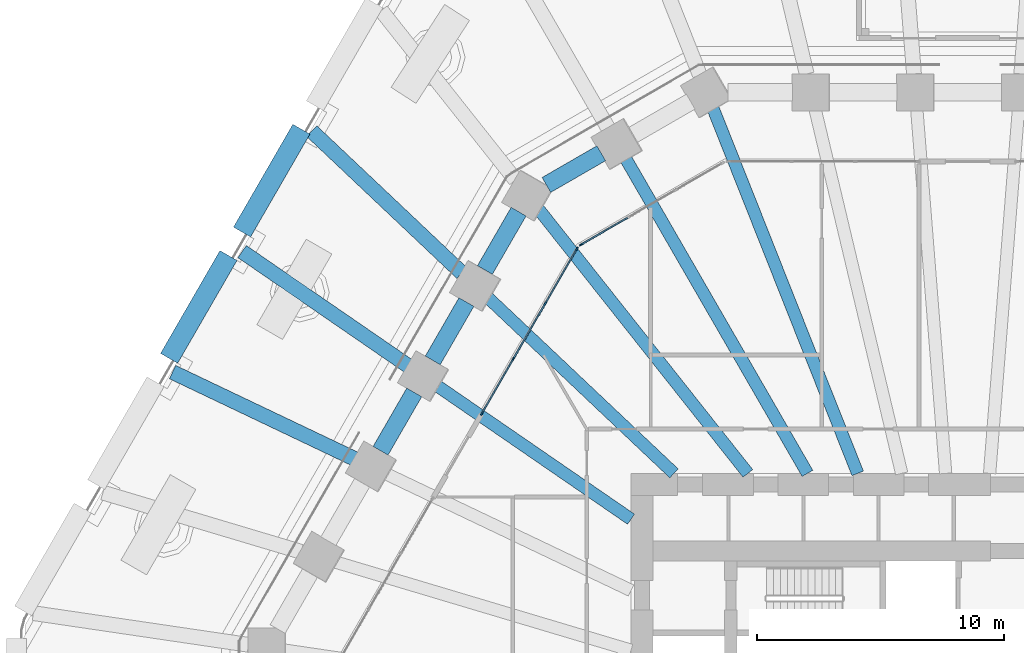
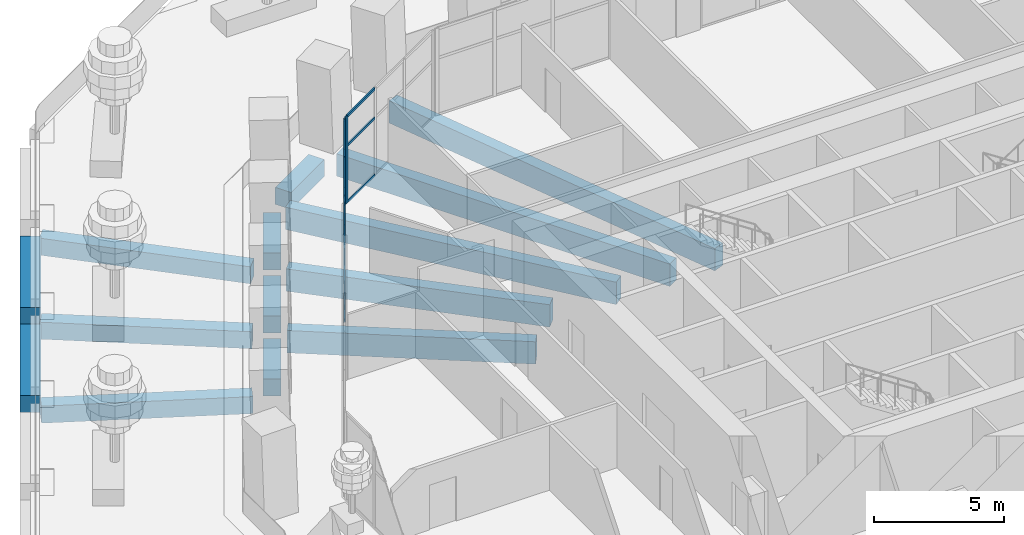
# One storey, part 11 of 32: 17 members, 14 beams, 2 elements without a shape of their own.
"""IFC4 building model written with IfcOpenShell, lengths in metres."""

from ifc_helpers import new_model, si_unit, direction, frame, origin, origin_2d, place, context, subcontext, project, spatial, rectangle, extrude, material, material_profile, profile_set, type_object, element, aggregate, save


model = new_model("IFC4")

# Units and contexts
model_context = context("Model", 3, precision=1e-05, world=origin(), true_north=direction((0.0, 1.0)))
body_context = subcontext(model_context, "Body", "Model", "MODEL_VIEW")
ifc_project = project(units=[si_unit("LENGTHUNIT", "METRE"), si_unit("AREAUNIT", "SQUARE_METRE"), si_unit("VOLUMEUNIT", "CUBIC_METRE"), si_unit("PLANEANGLEUNIT", "RADIAN"), si_unit("MASSUNIT", "GRAM", prefix="KILO")], contexts=[model_context])

# Site, building, storey
site_placement = place(None, origin())
site = spatial("IfcSite", under=ifc_project, at=site_placement, CompositionType="ELEMENT")
building_placement = place(site_placement, origin())
building = spatial("IfcBuilding", under=site, at=building_placement, Name="Frailejon Research Tower", CompositionType="ELEMENT")
storey_placement = place(building_placement, frame((0.0, 0.0, 14.60009765625)))
storey = spatial("IfcBuildingStorey", under=building, at=storey_placement, Name="L03", CompositionType="ELEMENT", Elevation=14.60009765625)

# Beams
ifc_material_1 = material(Name="Concrete C60/75", Category="concrete")
ifc_material_profile_1 = material_profile(ifc_material_1, rectangle(XDim=0.800048828125, YDim=0.800048828125, at=origin_2d()), Name="Base ring beam")
ifc_profile_set_1 = profile_set([ifc_material_profile_1], Name="Concrete C60/75")
beam_type_1 = type_object("IfcBeamType", Name="Base ring beam", PredefinedType="BEAM", material=ifc_profile_set_1)
for number, where, z_axis, x_axis, name in (
    (1, (-27.0166015625, 25.2060546875, -0.800048828125), (-0.50000634465, -0.866021740668, 0.0), (0.866021740668, -0.50000634465, 0.0), "Base ring beam"),
    (2, (-29.973388671875, 20.08447265625, -0.800048828125), (-0.50000634465, -0.866021740668, 0.0), (0.866021740668, -0.50000634465, 0.0), "Base ring beam"),
):
    element("IfcBeam", number, at=place(storey_placement, frame(where, z_axis=z_axis, x_axis=x_axis)), inside=storey, type_object=beam_type_1, Name=name, PredefinedType="BEAM", context=body_context, shape_type="SweptSolid", body=[
        extrude(rectangle(XDim=0.800048828125, YDim=0.800048828125, at=origin_2d()), origin(), (0.0, 0.0, 1.0), 4.81396484375),
    ])

# Curtain wall, member
ifc_material_2 = material(Name="Aluminium curtain wall", Category="aluminium")
curtain_wall_type = type_object("IfcCurtainWallType", Name="Base zone unitised curtain wall system", PredefinedType="NOTDEFINED", material=ifc_material_2)
curtain_wall_1_placement = place(storey_placement, origin())
curtain_wall_1 = element("IfcCurtainWall", 3, at=curtain_wall_1_placement, inside=storey, type_object=curtain_wall_type, Name="Curtain wall L03", PredefinedType="NOTDEFINED")
ifc_material_3 = material(Name="Aluminium extrusion", Category="aluminium")
ifc_material_profile_2 = material_profile(ifc_material_3, rectangle(XDim=0.06005859375, YDim=0.159912109375, at=origin_2d()), Name="Base zone unitised curtain wall mullion 60x160")
ifc_profile_set_2 = profile_set([ifc_material_profile_2], Name="Aluminium extrusion")
member_type_1 = type_object("IfcMemberType", Name="Base zone unitised curtain wall mullion 60x160", PredefinedType="MULLION", material=ifc_profile_set_2)
member_1_placement = place(storey_placement, frame((-15.670654296875, 20.527587890625, 0.0), z_axis=(0.0, 0.0, 1.0), x_axis=(0.499998258782, -0.866026409075, 0.0)))
member_1 = element("IfcMember", 4, at=member_1_placement, type_object=member_type_1, Name="CW3-051 mullion 4", PredefinedType="MULLION", context=body_context, shape_type="SweptSolid", body=[
    extrude(rectangle(XDim=0.06005859375, YDim=0.159912109375, at=origin_2d()), origin(), (0.0, 0.0, 1.0), 4.099853515625),
])

# Curtain wall, members
curtain_wall_2_placement = place(storey_placement, origin())
curtain_wall_2 = element("IfcCurtainWall", 5, at=curtain_wall_2_placement, inside=storey, type_object=curtain_wall_type, Name="Curtain wall L03", PredefinedType="NOTDEFINED")
member_2_placement = place(storey_placement, frame((-15.84814453125, 20.35009765625, 0.0), z_axis=(0.0, 0.0, 1.0), x_axis=(0.866029434533, -0.499993018474, 0.0)))
member_2 = element("IfcMember", 6, at=member_2_placement, type_object=member_type_1, Name="CW3-052 mullion 1", PredefinedType="MULLION", context=body_context, shape_type="SweptSolid", body=[
    extrude(rectangle(XDim=0.06005859375, YDim=0.159912109375, at=origin_2d()), origin(), (0.0, 0.0, 1.0), 4.099853515625),
])
member_3_placement = place(storey_placement, frame((-17.127197265625, 18.135009765625, 0.0), z_axis=(0.0, 0.0, 1.0), x_axis=(0.866029434533, -0.499993018474, 0.0)))
member_3 = element("IfcMember", 7, at=member_3_placement, type_object=member_type_1, Name="CW3-052 mullion 2", PredefinedType="MULLION", context=body_context, shape_type="SweptSolid", body=[
    extrude(rectangle(XDim=0.06005859375, YDim=0.159912109375, at=origin_2d()), origin(), (0.0, 0.0, 1.0), 4.099853515625),
])
member_4_placement = place(storey_placement, frame((-18.421142578125, 15.893798828125, 0.0), z_axis=(0.0, 0.0, 1.0), x_axis=(0.866029434533, -0.499993018474, 0.0)))
member_4 = element("IfcMember", 8, at=member_4_placement, type_object=member_type_1, Name="CW3-052 mullion 3", PredefinedType="MULLION", context=body_context, shape_type="SweptSolid", body=[
    extrude(rectangle(XDim=0.06005859375, YDim=0.159912109375, at=origin_2d()), origin(), (0.0, 0.0, 1.0), 4.099853515625),
])
member_5_placement = place(storey_placement, frame((-19.699951171875, 13.678466796875, 0.0), z_axis=(0.0, 0.0, 1.0), x_axis=(0.866029434533, -0.499993018474, 0.0)))
member_5 = element("IfcMember", 9, at=member_5_placement, type_object=member_type_1, Name="CW3-052 mullion 4", PredefinedType="MULLION", context=body_context, shape_type="SweptSolid", body=[
    extrude(rectangle(XDim=0.06005859375, YDim=0.159912109375, at=origin_2d()), origin(), (0.0, 0.0, 1.0), 4.099853515625),
])

# Member
ifc_material_4 = material(Name="Aluminium extrusion", Category="aluminium")
ifc_material_profile_3 = material_profile(ifc_material_4, rectangle(XDim=0.06005859375, YDim=0.1201171875, at=origin_2d()), Name="Base zone unitised curtain wall transom 60x120")
ifc_profile_set_3 = profile_set([ifc_material_profile_3], Name="Aluminium extrusion")
member_type_2 = type_object("IfcMemberType", Name="Base zone unitised curtain wall transom 60x120", PredefinedType="USERDEFINED", material=ifc_profile_set_3)
member_6_placement = place(storey_placement, frame((-13.7958984375, 21.610107421875, 0.02978515625), z_axis=(-0.866010359988, -0.500026055714, 0.0), x_axis=(0.500026055714, -0.866010359988, 0.0)))
member_6 = element("IfcMember", 10, at=member_6_placement, type_object=member_type_2, Name="CW3-051 transom 3.1", ObjectType="TRANSOM", PredefinedType="USERDEFINED", context=body_context, shape_type="SweptSolid", body=[
    extrude(rectangle(XDim=0.06005859375, YDim=0.1201171875, at=origin_2d()), origin(), (0.0, 0.0, 1.0), 2.134765625),
])

member_7_placement = place(storey_placement, frame((-13.7958984375, 21.610107421875, 2.699951171875), z_axis=(-0.866010359988, -0.500026055714, 0.0), x_axis=(0.500026055714, -0.866010359988, 0.0)))
member_7 = element("IfcMember", 11, at=member_7_placement, type_object=member_type_2, Name="CW3-051 transom 3.2", ObjectType="TRANSOM", PredefinedType="USERDEFINED", context=body_context, shape_type="SweptSolid", body=[
    extrude(rectangle(XDim=0.06005859375, YDim=0.1201171875, at=origin_2d()), origin(), (0.0, 0.0, 1.0), 2.134765625),
])

member_8_placement = place(storey_placement, frame((-13.7958984375, 21.610107421875, 4.06982421875), z_axis=(-0.866010359988, -0.500026055714, 0.0), x_axis=(0.500026055714, -0.866010359988, 0.0)))
member_8 = element("IfcMember", 12, at=member_8_placement, type_object=member_type_2, Name="CW3-051 transom 3.3", ObjectType="TRANSOM", PredefinedType="USERDEFINED", context=body_context, shape_type="SweptSolid", body=[
    extrude(rectangle(XDim=0.06005859375, YDim=0.1201171875, at=origin_2d()), origin(), (0.0, 0.0, 1.0), 2.134765625),
])

aggregate(curtain_wall_1, [member_1, member_6, member_7, member_8])

member_9_placement = place(storey_placement, frame((-15.86328125, 20.32421875, 0.02978515625), z_axis=(-0.499933970956, -0.866063522315, 0.0), x_axis=(0.866063522315, -0.499933970956, 0.0)))
member_9 = element("IfcMember", 13, at=member_9_placement, type_object=member_type_2, Name="CW3-052 transom 1.1", ObjectType="TRANSOM", PredefinedType="USERDEFINED", context=body_context, shape_type="SweptSolid", body=[
    extrude(rectangle(XDim=0.06005859375, YDim=0.1201171875, at=origin_2d()), origin(), (0.0, 0.0, 1.0), 2.497802734375),
])

member_10_placement = place(storey_placement, frame((-15.86328125, 20.32421875, 2.699951171875), z_axis=(-0.499933970956, -0.866063522315, 0.0), x_axis=(0.866063522315, -0.499933970956, 0.0)))
member_10 = element("IfcMember", 14, at=member_10_placement, type_object=member_type_2, Name="CW3-052 transom 1.2", ObjectType="TRANSOM", PredefinedType="USERDEFINED", context=body_context, shape_type="SweptSolid", body=[
    extrude(rectangle(XDim=0.06005859375, YDim=0.1201171875, at=origin_2d()), origin(), (0.0, 0.0, 1.0), 2.497802734375),
])

member_11_placement = place(storey_placement, frame((-15.86328125, 20.32421875, 4.06982421875), z_axis=(-0.499933970956, -0.866063522315, 0.0), x_axis=(0.866063522315, -0.499933970956, 0.0)))
member_11 = element("IfcMember", 15, at=member_11_placement, type_object=member_type_2, Name="CW3-052 transom 1.3", ObjectType="TRANSOM", PredefinedType="USERDEFINED", context=body_context, shape_type="SweptSolid", body=[
    extrude(rectangle(XDim=0.06005859375, YDim=0.1201171875, at=origin_2d()), origin(), (0.0, 0.0, 1.0), 2.497802734375),
])

member_12_placement = place(storey_placement, frame((-17.14208984375, 18.10888671875, 0.02978515625), z_axis=(-0.499992766374, -0.86602958008, 0.0), x_axis=(0.86602958008, -0.499992766374, 0.0)))
member_12 = element("IfcMember", 16, at=member_12_placement, type_object=member_type_2, Name="CW3-052 transom 2.1", ObjectType="TRANSOM", PredefinedType="USERDEFINED", context=body_context, shape_type="SweptSolid", body=[
    extrude(rectangle(XDim=0.06005859375, YDim=0.1201171875, at=origin_2d()), origin(), (0.0, 0.0, 1.0), 2.52783203125),
])

member_13_placement = place(storey_placement, frame((-17.14208984375, 18.10888671875, 2.699951171875), z_axis=(-0.499992766374, -0.86602958008, 0.0), x_axis=(0.86602958008, -0.499992766374, 0.0)))
member_13 = element("IfcMember", 17, at=member_13_placement, type_object=member_type_2, Name="CW3-052 transom 2.2", ObjectType="TRANSOM", PredefinedType="USERDEFINED", context=body_context, shape_type="SweptSolid", body=[
    extrude(rectangle(XDim=0.06005859375, YDim=0.1201171875, at=origin_2d()), origin(), (0.0, 0.0, 1.0), 2.52783203125),
])

member_14_placement = place(storey_placement, frame((-17.14208984375, 18.10888671875, 4.06982421875), z_axis=(-0.499992766374, -0.86602958008, 0.0), x_axis=(0.86602958008, -0.499992766374, 0.0)))
member_14 = element("IfcMember", 18, at=member_14_placement, type_object=member_type_2, Name="CW3-052 transom 2.3", ObjectType="TRANSOM", PredefinedType="USERDEFINED", context=body_context, shape_type="SweptSolid", body=[
    extrude(rectangle(XDim=0.06005859375, YDim=0.1201171875, at=origin_2d()), origin(), (0.0, 0.0, 1.0), 2.52783203125),
])

member_15_placement = place(storey_placement, frame((-18.43603515625, 15.86767578125, 0.02978515625), z_axis=(-0.500007276137, -0.866021202864, 0.0), x_axis=(0.866021202864, -0.500007276137, 0.0)))
member_15 = element("IfcMember", 19, at=member_15_placement, type_object=member_type_2, Name="CW3-052 transom 3.1", ObjectType="TRANSOM", PredefinedType="USERDEFINED", context=body_context, shape_type="SweptSolid", body=[
    extrude(rectangle(XDim=0.06005859375, YDim=0.1201171875, at=origin_2d()), origin(), (0.0, 0.0, 1.0), 2.498046875),
])

member_16_placement = place(storey_placement, frame((-18.43603515625, 15.86767578125, 2.699951171875), z_axis=(-0.500007276137, -0.866021202864, 0.0), x_axis=(0.866021202864, -0.500007276137, 0.0)))
member_16 = element("IfcMember", 20, at=member_16_placement, type_object=member_type_2, Name="CW3-052 transom 3.2", ObjectType="TRANSOM", PredefinedType="USERDEFINED", context=body_context, shape_type="SweptSolid", body=[
    extrude(rectangle(XDim=0.06005859375, YDim=0.1201171875, at=origin_2d()), origin(), (0.0, 0.0, 1.0), 2.498046875),
])

member_17_placement = place(storey_placement, frame((-18.43603515625, 15.86767578125, 4.06982421875), z_axis=(-0.500007276137, -0.866021202864, 0.0), x_axis=(0.866021202864, -0.500007276137, 0.0)))
member_17 = element("IfcMember", 21, at=member_17_placement, type_object=member_type_2, Name="CW3-052 transom 3.3", ObjectType="TRANSOM", PredefinedType="USERDEFINED", context=body_context, shape_type="SweptSolid", body=[
    extrude(rectangle(XDim=0.06005859375, YDim=0.1201171875, at=origin_2d()), origin(), (0.0, 0.0, 1.0), 2.498046875),
])

aggregate(curtain_wall_2, [member_2, member_3, member_4, member_5, member_9, member_10, member_11, member_12, member_13, member_14, member_15, member_16, member_17])

# Beams
ifc_material_5 = material(Name="Concrete C60/75", Category="concrete")
ifc_material_profile_4 = material_profile(ifc_material_5, rectangle(XDim=0.60009765625, YDim=0.800048828125, at=origin_2d()), Name="Deck girder")
ifc_profile_set_4 = profile_set([ifc_material_profile_4], Name="Concrete C60/75")
beam_type_2 = type_object("IfcBeamType", Name="Deck girder", PredefinedType="BEAM", material=ifc_profile_set_4)
beam_1_placement = place(storey_placement, frame((-20.50927734375, 19.376953125, -0.800048828125), z_axis=(-0.726887862769, 0.68675616849, 0.0), x_axis=(-0.68675616849, -0.726887862769, 0.0)))
element("IfcBeam", 22, at=beam_1_placement, inside=storey, type_object=beam_type_2, Name="Deck girder", PredefinedType="BEAM", context=body_context, shape_type="SweptSolid", body=[
    extrude(rectangle(XDim=0.60009765625, YDim=0.800048828125, at=origin_2d()), origin(), (0.0, 0.0, 1.0), 8.376953125),
])
for number, where, z_axis, x_axis, name in (
    (23, (-22.684814453125, 15.60888671875, -0.800048828125), (-0.823805728176, 0.566872227424, 0.0), (-0.566872227424, -0.823805728176, 0.0), "Deck girder"),
    (24, (-24.860107421875, 11.841064453125, -0.800048828125), (-0.902821876558, 0.430014719758, 0.0), (-0.430014719758, -0.902821876558, 0.0), "Deck girder"),
):
    element("IfcBeam", number, at=place(storey_placement, frame(where, z_axis=z_axis, x_axis=x_axis)), inside=storey, type_object=beam_type_2, Name=name, PredefinedType="BEAM", context=body_context, shape_type="SweptSolid", body=[
        extrude(rectangle(XDim=0.60009765625, YDim=0.800048828125, at=origin_2d()), origin(), (0.0, 0.0, 1.0), 8.175537109375),
    ])
ifc_material_6 = material(Name="Concrete C60/75", Category="concrete")
ifc_material_profile_5 = material_profile(ifc_material_6, rectangle(XDim=0.5, YDim=1.050048828125, at=origin_2d()), Name="Girder 500x1050")
ifc_profile_set_5 = profile_set([ifc_material_profile_5], Name="Concrete C60/75")
beam_type_3 = type_object("IfcBeamType", Name="Girder 500x1050", PredefinedType="BEAM", material=ifc_profile_set_5)
beam_2_placement = place(storey_placement, frame((-10.35595703125, 26.134765625, -0.8251953125), z_axis=(0.368388986128, -0.929671745779, 0.0), x_axis=(0.929671745779, 0.368388986128, 0.0)))
element("IfcBeam", 25, at=beam_2_placement, inside=storey, type_object=beam_type_3, Name="Girder 500x1050", PredefinedType="BEAM", context=body_context, shape_type="SweptSolid", body=[
    extrude(rectangle(XDim=0.5, YDim=1.050048828125, at=origin_2d()), origin(), (0.0, 0.0, 1.0), 16.0107421875),
])
beam_3_placement = place(storey_placement, frame((-13.906494140625, 24.086669921875, -0.8251953125), z_axis=(0.500006178988, -0.866021836315, 0.0), x_axis=(0.866021836315, 0.500006178988, 0.0)))
element("IfcBeam", 26, at=beam_3_placement, inside=storey, type_object=beam_type_3, Name="Girder 500x1050", PredefinedType="BEAM", context=body_context, shape_type="SweptSolid", body=[
    extrude(rectangle(XDim=0.5, YDim=1.050048828125, at=origin_2d()), origin(), (0.0, 0.0, 1.0), 14.822509765625),
])
beam_4_placement = place(storey_placement, frame((-17.425048828125, 21.99755859375, -0.8251953125), z_axis=(0.620924577029, -0.7838703143, 0.0), x_axis=(0.7838703143, 0.620924577029, 0.0)))
element("IfcBeam", 27, at=beam_4_placement, inside=storey, type_object=beam_type_3, Name="Girder 500x1050", PredefinedType="BEAM", context=body_context, shape_type="SweptSolid", body=[
    extrude(rectangle(XDim=0.5, YDim=1.050048828125, at=origin_2d()), origin(), (0.0, 0.0, 1.0), 13.7109375),
])
beam_5_placement = place(storey_placement, frame((-19.49755859375, 18.421142578125, -0.8251953125), z_axis=(0.726882810127, -0.686761516352, 0.0), x_axis=(0.686761516352, 0.726882810127, 0.0)))
element("IfcBeam", 28, at=beam_5_placement, inside=storey, type_object=beam_type_3, Name="Girder 500x1050", PredefinedType="BEAM", context=body_context, shape_type="SweptSolid", body=[
    extrude(rectangle(XDim=0.5, YDim=1.050048828125, at=origin_2d()), origin(), (0.0, 0.0, 1.0), 10.44189453125),
])
beam_6_placement = place(storey_placement, frame((-21.568603515625, 14.841064453125, -0.8251953125), z_axis=(0.823817310549, -0.566855395, 0.0), x_axis=(0.566855395, 0.823817310549, 0.0)))
element("IfcBeam", 29, at=beam_6_placement, inside=storey, type_object=beam_type_3, Name="Girder 500x1050", PredefinedType="BEAM", context=body_context, shape_type="SweptSolid", body=[
    extrude(rectangle(XDim=0.5, YDim=1.050048828125, at=origin_2d()), origin(), (0.0, 0.0, 1.0), 9.6123046875),
])
ifc_material_7 = material(Name="Concrete C60/75", Category="concrete")
ifc_material_profile_6 = material_profile(ifc_material_7, rectangle(XDim=0.699951171875, YDim=0.800048828125, at=origin_2d()), Name="Spandrel 700x800")
ifc_profile_set_6 = profile_set([ifc_material_profile_6], Name="Concrete C60/75")
beam_type_4 = type_object("IfcBeamType", Name="Spandrel 700x800", PredefinedType="BEAM", material=ifc_profile_set_6)
beam_7_placement = place(storey_placement, frame((-14.85595703125, 24.231201171875, -0.75), z_axis=(-0.866008514048, -0.50002925274, 0.0), x_axis=(0.50002925274, -0.866008514048, 0.0)))
element("IfcBeam", 30, at=beam_7_placement, inside=storey, type_object=beam_type_4, Name="Spandrel 700x800", PredefinedType="BEAM", context=body_context, shape_type="SweptSolid", body=[
    extrude(rectangle(XDim=0.699951171875, YDim=0.800048828125, at=origin_2d()), origin(), (0.0, 0.0, 1.0), 2.571533203125),
])
beam_8_placement = place(storey_placement, frame((-18.2080078125, 21.86279296875, -0.75), z_axis=(-0.500031897912, -0.866006986733, 0.0), x_axis=(0.866006986733, -0.500031897912, 0.0)))
element("IfcBeam", 31, at=beam_8_placement, inside=storey, type_object=beam_type_4, Name="Spandrel 700x800", PredefinedType="BEAM", context=body_context, shape_type="SweptSolid", body=[
    extrude(rectangle(XDim=0.699951171875, YDim=0.800048828125, at=origin_2d()), origin(), (0.0, 0.0, 1.0), 2.731689453125),
])
for number, where, z_axis, x_axis, name in (
    (32, (-20.323974609375, 18.197998046875, -0.75), (-0.499993199895, -0.866029329791, 0.0), (0.866029329791, -0.499993199895, 0.0), "Spandrel 700x800"),
    (33, (-22.43994140625, 14.532958984375, -0.75), (-0.499993199895, -0.866029329791, 0.0), (0.866029329791, -0.499993199895, 0.0), "Spandrel 700x800"),
):
    element("IfcBeam", number, at=place(storey_placement, frame(where, z_axis=z_axis, x_axis=x_axis)), inside=storey, type_object=beam_type_4, Name=name, PredefinedType="BEAM", context=body_context, shape_type="SweptSolid", body=[
        extrude(rectangle(XDim=0.699951171875, YDim=0.800048828125, at=origin_2d()), origin(), (0.0, 0.0, 1.0), 2.73193359375),
    ])

save(model, "model.ifc")
